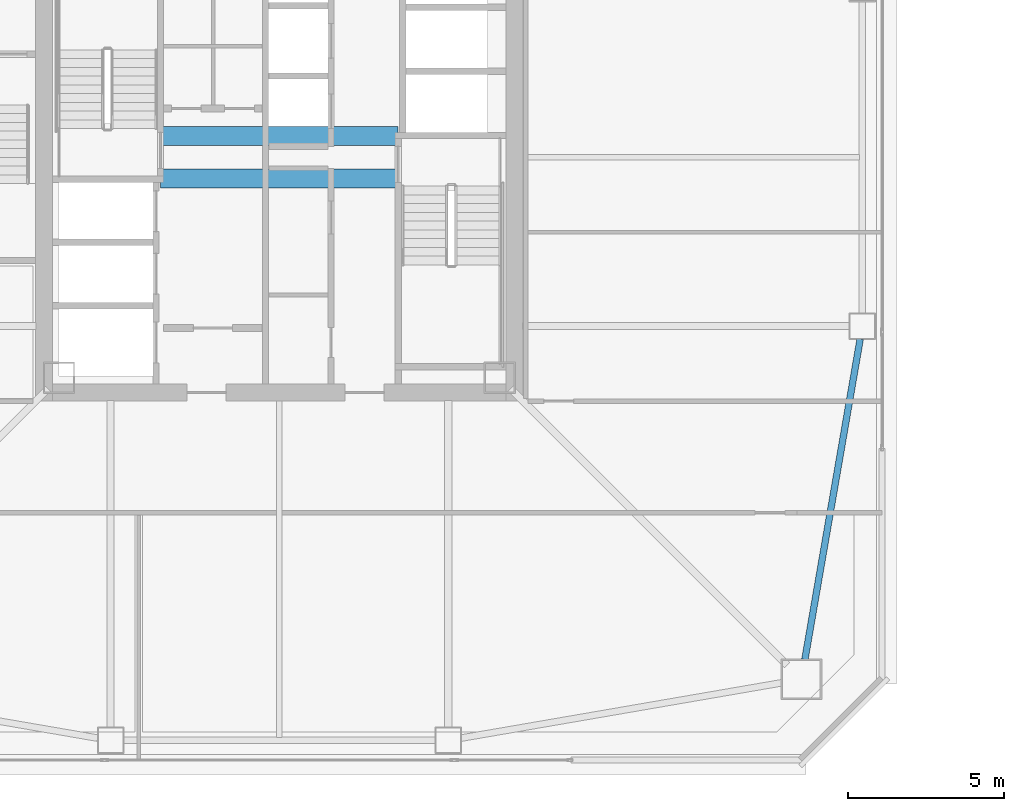
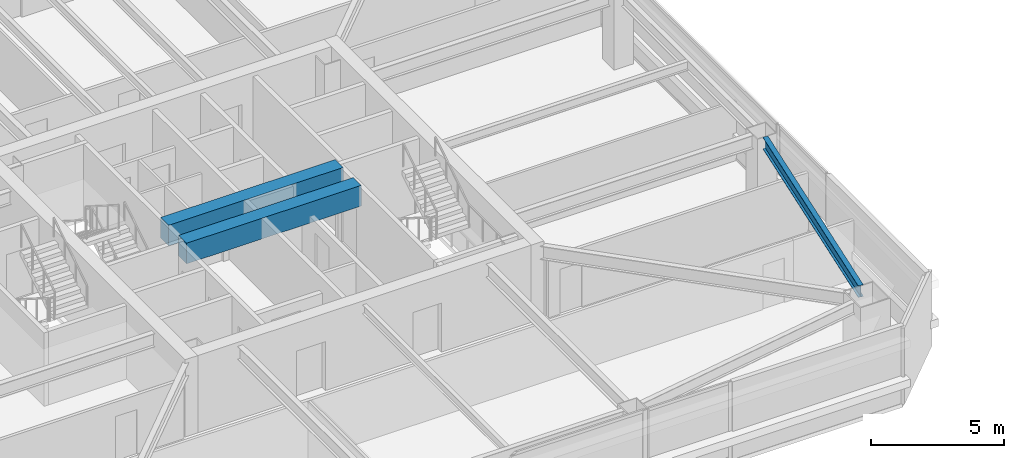
# One storey, part 9 of 41: 3 beams.
"""IFC4 building model written with IfcOpenShell, lengths in metres."""

from ifc_helpers import new_model, si_unit, direction, frame, origin, origin_2d, place, context, subcontext, project, spatial, rectangle, i_section, extrude, material, material_profile, profile_set, type_object, element, save


model = new_model("IFC4")

# Units and contexts
model_context = context("Model", 3, precision=1e-05, world=origin(), true_north=direction((0.0, 1.0)))
body_context = subcontext(model_context, "Body", "Model", "MODEL_VIEW")
ifc_project = project(units=[si_unit("LENGTHUNIT", "METRE"), si_unit("AREAUNIT", "SQUARE_METRE"), si_unit("VOLUMEUNIT", "CUBIC_METRE"), si_unit("PLANEANGLEUNIT", "RADIAN"), si_unit("MASSUNIT", "GRAM", prefix="KILO")], contexts=[model_context])

# Site, building, storey
site_placement = place(None, origin())
site = spatial("IfcSite", under=ifc_project, at=site_placement, CompositionType="ELEMENT")
building_placement = place(site_placement, origin())
building = spatial("IfcBuilding", under=site, at=building_placement, Name="Tashvorn Skyway Center", CompositionType="ELEMENT")
storey_placement = place(building_placement, frame((0.0, 0.0, 146.35009765625)))
storey = spatial("IfcBuildingStorey", under=building, at=storey_placement, Name="L39", CompositionType="ELEMENT", Elevation=146.35009765625)

# Beams
ifc_material_1 = material(Name="Concrete C60/75", Category="concrete")
ifc_material_profile_1 = material_profile(ifc_material_1, rectangle(XDim=0.60009765625, YDim=0.949951171875, at=origin_2d()), Name="RCB600x950")
ifc_profile_set_1 = profile_set([ifc_material_profile_1], Name="Concrete C60/75")
beam_type_1 = type_object("IfcBeamType", Name="BM-LINTEL-RCB600x950", PredefinedType="LINTEL", material=ifc_profile_set_1)
for number, where, z_axis, x_axis, name in (
    (1, (38.199951171875, 32.679931640625, 2.89501953125), (1.0, 0.0, 0.0), (0.0, 1.0, 0.0), "Tower 1 L39 Core Coupling Beam CN"),
    (2, (38.199951171875, 31.320068359375, 2.89501953125), (1.0, 0.0, 0.0), (0.0, 1.0, 0.0), "Tower 1 L39 Core Coupling Beam CS"),
):
    element("IfcBeam", number, at=place(storey_placement, frame(where, z_axis=z_axis, x_axis=x_axis)), inside=storey, type_object=beam_type_1, Name=name, PredefinedType="LINTEL", context=body_context, shape_type="SweptSolid", body=[
        extrude(rectangle(XDim=0.60009765625, YDim=0.949951171875, at=origin_2d()), origin(), (0.0, 0.0, 1.0), 7.60009765625),
    ])
ifc_material_2 = material(Name="Steel ASTM A992 Grade 50", Category="steel")
ifc_material_profile_2 = material_profile(ifc_material_2, i_section(OverallWidth=0.2109375, OverallDepth=0.5390625, WebThickness=0.01171875, FlangeThickness=0.018798828125, at=origin_2d()), Name="W21X73")
ifc_profile_set_2 = profile_set([ifc_material_profile_2], Name="Steel ASTM A992 Grade 50")
beam_type_2 = type_object("IfcBeamType", Name="BM-SPANDREL-W21X73", PredefinedType="SPANDREL", material=ifc_profile_set_2)
beam_placement = place(storey_placement, frame((58.8095703125, 15.935546875, 3.100341796875), z_axis=(0.170067250846, 0.985432458462, 0.0), x_axis=(-0.985432458462, 0.170067250846, 0.0)))
element("IfcBeam", 3, at=beam_placement, inside=storey, type_object=beam_type_2, Name="Tower 1 L39 Spandrel Beam 04", PredefinedType="SPANDREL", context=body_context, shape_type="SweptSolid", body=[
    extrude(i_section(OverallWidth=0.2109375, OverallDepth=0.5390625, WebThickness=0.01171875, FlangeThickness=0.018798828125, at=origin_2d()), origin(), (0.0, 0.0, 1.0), 10.402099609375),
])

save(model, "model.ifc")
